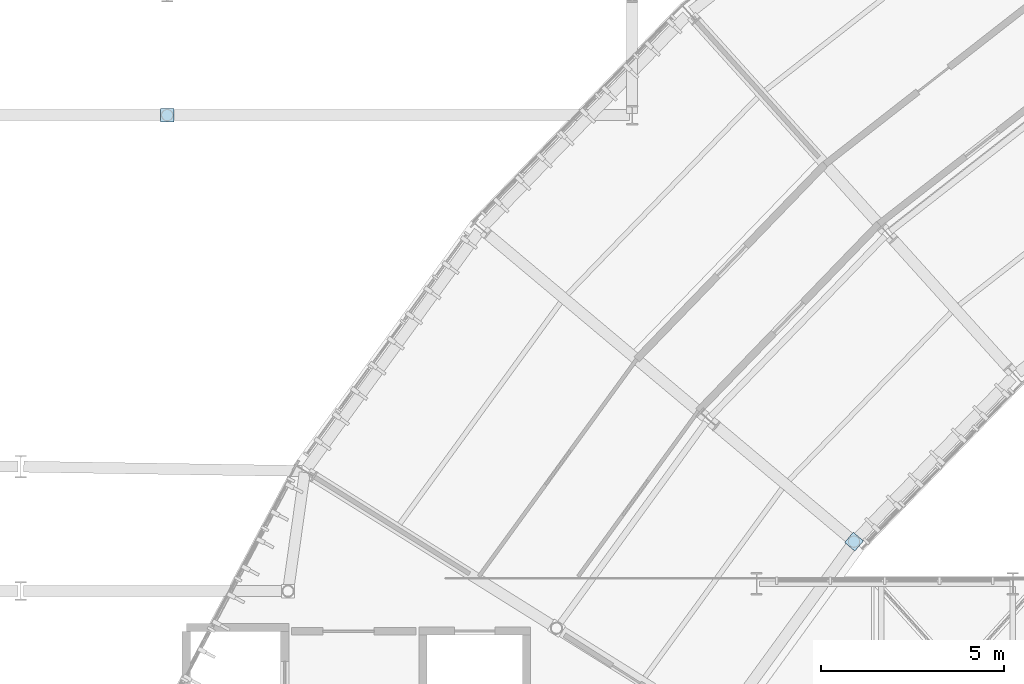
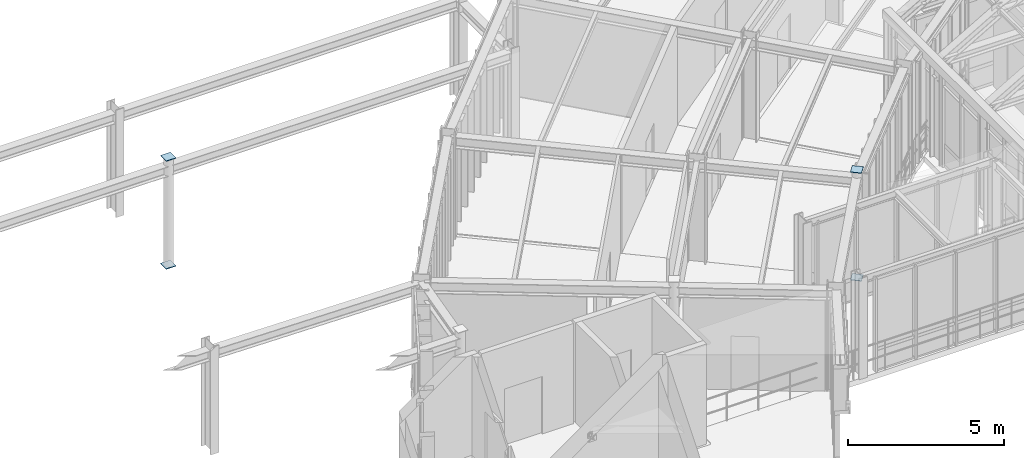
# One storey, part 111 of 148: 4 plates.
"""IFC4 building model written with IfcOpenShell, lengths in metres."""

from ifc_helpers import new_model, si_unit, direction, frame, origin, origin_2d, place, context, subcontext, project, spatial, rectangle, extrude, material, layer, layer_set, type_object, element, save


model = new_model("IFC4")

# Units and contexts
model_context = context("Model", 3, precision=1e-05, world=origin(), true_north=direction((0.0, 1.0)))
body_context = subcontext(model_context, "Body", "Model", "MODEL_VIEW")
ifc_project = project(units=[si_unit("LENGTHUNIT", "METRE"), si_unit("AREAUNIT", "SQUARE_METRE"), si_unit("VOLUMEUNIT", "CUBIC_METRE"), si_unit("PLANEANGLEUNIT", "RADIAN"), si_unit("MASSUNIT", "GRAM", prefix="KILO"), si_unit("THERMODYNAMICTEMPERATUREUNIT", "KELVIN"), si_unit("POWERUNIT", "WATT")], contexts=[model_context])

# Site, building, storey
site_placement = place(None, origin())
site = spatial("IfcSite", under=ifc_project, at=site_placement, CompositionType="ELEMENT")
building_placement = place(site_placement, origin())
building = spatial("IfcBuilding", under=site, at=building_placement, Name="Solvatero Civic Police Headquarters", CompositionType="ELEMENT")
storey_placement = place(building_placement, frame((0.0, 0.0, 5.10009765625)))
storey = spatial("IfcBuildingStorey", under=building, at=storey_placement, Name="L01", CompositionType="ELEMENT", Elevation=5.10009765625)

# Plates
ifc_material = material(Name="Steel S355", Category="steel")
ifc_layer = layer(ifc_material, 0.02001953125)
ifc_layer_set = layer_set([ifc_layer], Name="Steel S355")
plate_type = type_object("IfcPlateType", Name="PLT-CAP-20", PredefinedType="SHEET", material=ifc_layer_set)
for number, where, z_axis, x_axis, name in (
    (1, (59.260009765625, 55.150390625, 4.199951171875), (0.0, 0.0, 1.0), (0.642787609687, 0.766044443119, 0.0), "Hollow Section End Cap Plate 0021"),
    (2, (59.260009765625, 55.150390625, -0.02001953125), (0.0, 0.0, 1.0), (0.642787609687, 0.766044443119, 0.0), "Hollow Section End Cap Plate 0022"),
    (3, (40.5, 66.800048828125, 4.199951171875), (0.0, 0.0, 1.0), (1.0, 0.0, 0.0), "Hollow Section End Cap Plate 0053"),
    (4, (40.5, 66.800048828125, -0.02001953125), (0.0, 0.0, 1.0), (1.0, 0.0, 0.0), "Hollow Section End Cap Plate 0054"),
):
    element("IfcPlate", number, at=place(storey_placement, frame(where, z_axis=z_axis, x_axis=x_axis)), inside=storey, type_object=plate_type, Name=name, PredefinedType="SHEET", context=body_context, shape_type="SweptSolid", body=[
        extrude(rectangle(XDim=0.364013671875, YDim=0.364013671875, at=origin_2d()), origin(), (0.0, 0.0, 1.0), 0.02001953125),
    ])

save(model, "model.ifc")
